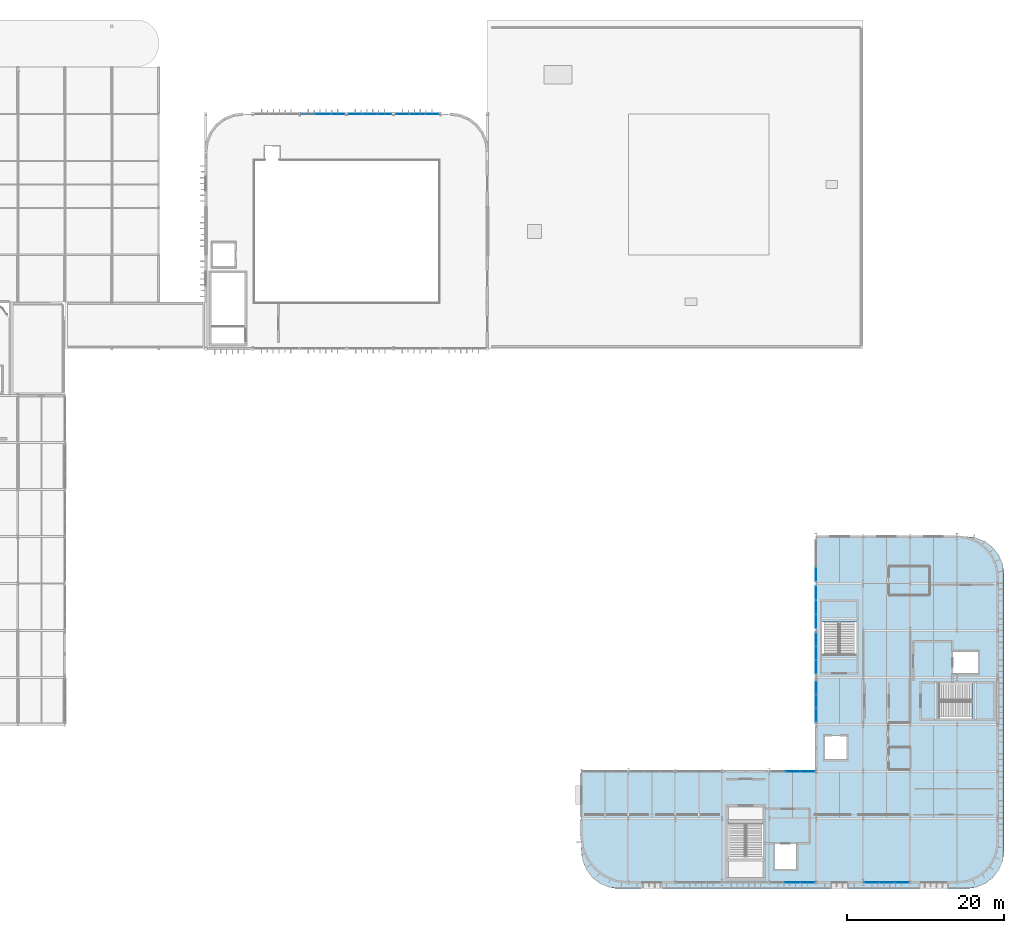
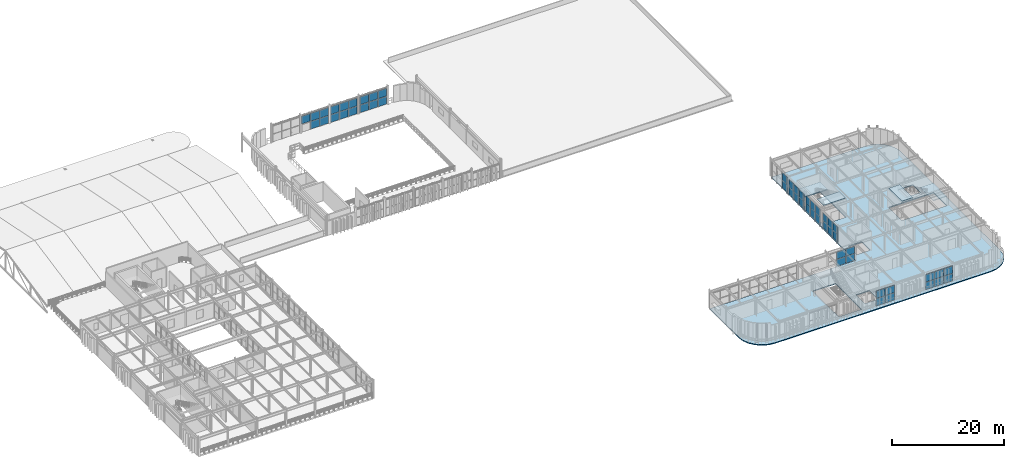
# One storey, part 50 of 83: 51 plates, 5 slabs, 12 elements without a shape of their own.
"""IFC4 building model written with IfcOpenShell, lengths in metres."""

import ifcopenshell
import ifcopenshell.guid

model = None  # the IFC model being written
_history = None  # IfcOwnerHistory: only IFC2X3 demands one
_inside = {}  # id of a spatial element -> (the spatial element, [elements in it])
_under = {}  # id of a project, library or spatial element -> (it, [spatial elements below it])
_declared = {}  # id of a project -> (the project, [libraries it declares])
_typed = {}  # id of a type object -> (the type object, [elements of that type])
_made_of = {}  # id of a material, layer set ... -> (it, [elements and type objects made of it])


def new_model(schema):
    """Start an empty IFC model of exactly this schema.

    Asked for "IFC4X3", IfcOpenShell would pick the latest addendum, in which some entities
    have other attributes; the version numbers below select the first issue.
    IFC2X3 requires an IfcOwnerHistory on every rooted entity: one is made here for all.
    """
    global model, _history
    if schema == "IFC4X3":
        model = ifcopenshell.file(schema_version=(4, 3, 0, 0))
    else:
        model = ifcopenshell.file(schema=schema)
    _inside.clear()
    _under.clear()
    _declared.clear()
    _typed.clear()
    _made_of.clear()
    _history = None
    if model.schema == "IFC2X3":
        org = make("IfcOrganization", Name="unknown")
        user = make(
            "IfcPersonAndOrganization",
            ThePerson=make("IfcPerson", FamilyName="unknown"),
            TheOrganization=org,
        )
        app = make(
            "IfcApplication",
            ApplicationDeveloper=org,
            Version="unknown",
            ApplicationFullName="unknown",
            ApplicationIdentifier="unknown",
        )
        _history = make(
            "IfcOwnerHistory",
            OwningUser=user,
            OwningApplication=app,
            ChangeAction="ADDED",
            CreationDate=0,
        )
    return model


def make(cls, **values):
    """One entity of the class cls with the attributes given. An attribute that is None is left unset."""
    return model.create_entity(
        cls, **{name: value for name, value in values.items() if value is not None}
    )


def rooted(cls, **values):
    """An entity with a GlobalId (a new one), such as an element, a storey or a relation."""
    return make(cls, GlobalId=ifcopenshell.guid.new(), OwnerHistory=_history, **values)


def si_unit(unit_type, name, prefix=None):
    """IfcSIUnit, for example si_unit("LENGTHUNIT", "METRE", prefix="MILLI")."""
    return make("IfcSIUnit", UnitType=unit_type, Prefix=prefix, Name=name)


def assignment(units):
    """IfcUnitAssignment: the units of a project."""
    return None if units is None else make("IfcUnitAssignment", Units=units)


def point(xyz):
    """IfcCartesianPoint."""
    return None if xyz is None else make("IfcCartesianPoint", Coordinates=xyz)


def direction(xyz):
    """IfcDirection."""
    return None if xyz is None else make("IfcDirection", DirectionRatios=xyz)


def frame(location, z_axis=None, x_axis=None):
    """IfcAxis2Placement3D, a coordinate frame: its origin and axes. An axis left out is left unset."""
    return make(
        "IfcAxis2Placement3D",
        Location=point(location),
        Axis=direction(z_axis),
        RefDirection=direction(x_axis),
    )


def frame_2d(location, x_axis=None):
    """IfcAxis2Placement2D, a coordinate frame in the plane: its origin and x axis."""
    return make(
        "IfcAxis2Placement2D", Location=point(location), RefDirection=direction(x_axis)
    )


def origin():
    """The frame at (0, 0, 0) with its axes left unset."""
    return frame((0.0, 0.0, 0.0))


def origin_2d():
    """The frame at (0, 0) in the plane with its x axis left unset."""
    return frame_2d((0.0, 0.0))


def place(relative_to, where):
    """IfcLocalPlacement: puts the frame where relative to a parent placement (None: the world)."""
    return make(
        "IfcLocalPlacement", PlacementRelTo=relative_to, RelativePlacement=where
    )


def context(
    kind, dimensions, precision=None, world=None, true_north=None, identifier=None
):
    """IfcGeometricRepresentationContext, for example the 3D "Model" context."""
    return make(
        "IfcGeometricRepresentationContext",
        ContextIdentifier=identifier,
        ContextType=kind,
        CoordinateSpaceDimension=dimensions,
        Precision=precision,
        WorldCoordinateSystem=world,
        TrueNorth=true_north,
    )


def subcontext(parent, identifier, kind, view, scale=None):
    """IfcGeometricRepresentationSubContext, for example "Body" below "Model"."""
    return make(
        "IfcGeometricRepresentationSubContext",
        ContextIdentifier=identifier,
        ContextType=kind,
        ParentContext=parent,
        TargetScale=scale,
        TargetView=view,
    )


def project(units=None, contexts=None):
    """IfcProject with its units and contexts."""
    return rooted(
        "IfcProject",
        Name="project",
        RepresentationContexts=contexts,
        UnitsInContext=assignment(units),
    )


def spatial(cls, under=None, at=None, **own):
    """A site, building, storey or space (cls), placed at a placement, below another one or the project."""
    s = rooted(cls, ObjectPlacement=at, **own)
    if under is not None:
        _under.setdefault(under.id(), (under, []))[1].append(s)
    return s


def polyline(points):
    """IfcPolyline through the points."""
    return make("IfcPolyline", Points=[point(p) for p in points])


def profile(cls, at=None, kind="AREA", **sizes):
    """A parametric profile (cls). Its sizes go by their IFC names, for example OverallWidth=200.0."""
    return make(cls, ProfileType=kind, Position=at, **sizes)


def rectangle(**sizes):
    """IfcRectangleProfileDef."""
    return profile("IfcRectangleProfileDef", **sizes)


def outline(outer, holes=None, kind="AREA"):
    """IfcArbitraryClosedProfileDef: a profile drawn as a closed curve; with holes, ...WithVoids."""
    if holes is None:
        return make("IfcArbitraryClosedProfileDef", ProfileType=kind, OuterCurve=outer)
    return make(
        "IfcArbitraryProfileDefWithVoids",
        ProfileType=kind,
        OuterCurve=outer,
        InnerCurves=holes,
    )


def extrude(swept, where, along, depth):
    """IfcExtrudedAreaSolid: the profile swept, set in the frame where, extruded along a direction by depth."""
    return make(
        "IfcExtrudedAreaSolid",
        SweptArea=swept,
        Position=where,
        ExtrudedDirection=direction(along),
        Depth=depth,
    )


def shape(context_of_items, identifier, shape_type, items):
    """IfcShapeRepresentation: the items that make up one representation, for example the "Body"."""
    return make(
        "IfcShapeRepresentation",
        ContextOfItems=context_of_items,
        RepresentationIdentifier=identifier,
        RepresentationType=shape_type,
        Items=items,
    )


def material(Name=None, Category=None):
    """IfcMaterial."""
    return make("IfcMaterial", Name=Name, Category=Category)


def layer(
    of_material, thickness, ventilated=None, Name=None, Category=None, Priority=None
):
    """IfcMaterialLayer: one layer of a wall or slab, of a material (None: an air gap)."""
    return make(
        "IfcMaterialLayer",
        Material=of_material,
        LayerThickness=thickness,
        IsVentilated=ventilated,
        Name=Name,
        Category=Category,
        Priority=Priority,
    )


def layer_set(layers, Name=None):
    """IfcMaterialLayerSet."""
    return make("IfcMaterialLayerSet", MaterialLayers=layers, LayerSetName=Name)


def made_of(thing, what):
    """Note that an element or type object is made of a material, layer set ...; save() writes the relation."""
    if what is not None:
        _made_of.setdefault(what.id(), (what, []))[1].append(thing)
    return thing


def type_object(cls, material=None, **own):
    """A type object (cls), such as IfcWallType, which elements share."""
    return made_of(rooted(cls, **own), material)


def element(
    cls,
    number,
    at=None,
    inside=None,
    cuts=None,
    type_object=None,
    material=None,
    context=None,
    identifier="Body",
    shape_type=None,
    held_by="IfcProductDefinitionShape",
    body=None,
    shapes=None,
    **own,
):
    """One element of the class cls, such as IfcWall. Its Tag is "e" and its number.

    at: its placement. inside: the storey or other place that contains it. cuts: it is an
    opening in that element (IfcRelVoidsElement). A single representation is given by context,
    identifier, shape_type and body (its items); several are given by shapes. held_by: the class
    of the entity that holds the representations. save() writes the other relations.
    """
    e = rooted(cls, Tag="e%d" % number, ObjectPlacement=at, **own)
    if body is not None:
        shapes = [shape(context, identifier, shape_type, body)]
    if shapes is not None:
        e.Representation = make(held_by, Representations=shapes)
    if inside is not None:
        _inside.setdefault(inside.id(), (inside, []))[1].append(e)
    if cuts is not None:
        rooted(
            "IfcRelVoidsElement", RelatingBuildingElement=cuts, RelatedOpeningElement=e
        )
    if type_object is not None:
        _typed.setdefault(type_object.id(), (type_object, []))[1].append(e)
    return made_of(e, material)


def aggregate(whole, parts):
    """IfcRelAggregates: a whole, such as a stair, and the parts it consists of."""
    return rooted("IfcRelAggregates", RelatingObject=whole, RelatedObjects=parts)


def save(model, path):
    """Write the relations noted so far, then the file.

    IfcRelAggregates (storeys below a building ...), IfcRelContainedInSpatialStructure (elements
    in a storey), IfcRelDefinesByType, IfcRelAssociatesMaterial and IfcRelDeclares: one each for
    every whole, place, type object, material and project.
    """
    for whole, parts in _under.values():
        aggregate(whole, parts)
    for where, things in _inside.values():
        rooted(
            "IfcRelContainedInSpatialStructure",
            RelatedElements=things,
            RelatingStructure=where,
        )
    for kind, things in _typed.values():
        rooted("IfcRelDefinesByType", RelatedObjects=things, RelatingType=kind)
    for what, things in _made_of.values():
        rooted("IfcRelAssociatesMaterial", RelatedObjects=things, RelatingMaterial=what)
    for by, libraries in _declared.values():
        rooted("IfcRelDeclares", RelatingContext=by, RelatedDefinitions=libraries)
    model.write(path)


model = new_model("IFC4")

# Units and contexts
model_context = context("Model", 3, precision=1e-05, world=origin(), true_north=direction((0.0, 1.0)))
body_context = subcontext(model_context, "Body", "Model", "MODEL_VIEW")
ifc_project = project(units=[si_unit("LENGTHUNIT", "METRE"), si_unit("AREAUNIT", "SQUARE_METRE"), si_unit("VOLUMEUNIT", "CUBIC_METRE"), si_unit("PLANEANGLEUNIT", "RADIAN"), si_unit("MASSUNIT", "GRAM", prefix="KILO")], contexts=[model_context])

# Site, building, storey
site_placement = place(None, origin())
site = spatial("IfcSite", under=ifc_project, at=site_placement, CompositionType="ELEMENT")
building_placement = place(site_placement, origin())
building = spatial("IfcBuilding", under=site, at=building_placement, Name="Varnakota Square Police Headquarters", CompositionType="ELEMENT")
storey_placement = place(building_placement, frame((0.0, 0.0, 18.0)))
storey = spatial("IfcBuildingStorey", under=building, at=storey_placement, Name="L04", CompositionType="ELEMENT", Elevation=18.0)

# Curtain wall, plates
ifc_material_1 = material(Name="Anodised Aluminium Framing", Category="aluminium")
curtain_wall_type_1 = type_object("IfcCurtainWallType", Name="CW-SYS-E", PredefinedType="NOTDEFINED", material=ifc_material_1)
curtain_wall_1_placement = place(storey_placement, origin())
curtain_wall_1 = element("IfcCurtainWall", 1, at=curtain_wall_1_placement, inside=storey, type_object=curtain_wall_type_1, Name="Unitised curtain wall CWG-L04-095", PredefinedType="NOTDEFINED")
ifc_material_2 = material(Name="Solar-Control Laminated Double Glazing", Category="glass")
ifc_layer_1 = layer(ifc_material_2, 0.028076171875, Name="Solar-Control Laminated Double Glazing")
ifc_layer_set_1 = layer_set([ifc_layer_1], Name="Solar-Control Laminated Double Glazing")
plate_type_1 = type_object("IfcPlateType", Name="CWP-GLZ-28", PredefinedType="CURTAIN_PANEL", material=ifc_layer_set_1)
plate_1_placement = place(storey_placement, frame((138.0, 22.1611328125, 0.06494140625), z_axis=(0.0, 0.0, 1.0), x_axis=(0.0, 1.0, 0.0)))
plate_1 = element("IfcPlate", 2, at=plate_1_placement, type_object=plate_type_1, Name="CWG-L04-095 panel 1.1", PredefinedType="CURTAIN_PANEL", context=body_context, shape_type="SweptSolid", body=[
    extrude(rectangle(XDim=1.6826171875, YDim=0.028076171875, at=origin_2d()), origin(), (0.0, 0.0, 1.0), 1.644287109375),
])
plate_2_placement = place(storey_placement, frame((138.0, 23.925048828125, 0.06494140625), z_axis=(0.0, 0.0, 1.0), x_axis=(0.0, 1.0, 0.0)))
plate_2 = element("IfcPlate", 3, at=plate_2_placement, type_object=plate_type_1, Name="CWG-L04-095 panel 2.1", PredefinedType="CURTAIN_PANEL", context=body_context, shape_type="SweptSolid", body=[
    extrude(rectangle(XDim=1.715087890625, YDim=0.028076171875, at=origin_2d()), origin(), (0.0, 0.0, 1.0), 1.644287109375),
])
plate_3_placement = place(storey_placement, frame((138.0, 25.688720703125, 0.06494140625), z_axis=(0.0, 0.0, 1.0), x_axis=(0.0, 1.0, 0.0)))
plate_3 = element("IfcPlate", 4, at=plate_3_placement, type_object=plate_type_1, Name="CWG-L04-095 panel 3.1", PredefinedType="CURTAIN_PANEL", context=body_context, shape_type="SweptSolid", body=[
    extrude(rectangle(XDim=1.6826171875, YDim=0.028076171875, at=origin_2d()), origin(), (0.0, 0.0, 1.0), 1.644287109375),
])

curtain_wall_2_placement = place(storey_placement, origin())
curtain_wall_2 = element("IfcCurtainWall", 5, at=curtain_wall_2_placement, inside=storey, type_object=curtain_wall_type_1, Name="Unitised curtain wall CWG-L04-096", PredefinedType="NOTDEFINED")
ifc_material_3 = material(Name="Acoustic Laminated Double Glazing", Category="glass")
ifc_layer_2 = layer(ifc_material_3, 0.031982421875, Name="Acoustic Laminated Double Glazing")
ifc_layer_set_2 = layer_set([ifc_layer_2], Name="Acoustic Laminated Double Glazing")
plate_type_2 = type_object("IfcPlateType", Name="CWP-GLZ-32", PredefinedType="CURTAIN_PANEL", material=ifc_layer_set_2)
plate_4_placement = place(storey_placement, frame((138.0, 28.3154296875, 0.06494140625), z_axis=(0.0, 0.0, 1.0), x_axis=(0.0, 1.0, 0.0)))
plate_4 = element("IfcPlate", 6, at=plate_4_placement, type_object=plate_type_2, Name="CWG-L04-096 panel 1.1", PredefinedType="CURTAIN_PANEL", context=body_context, shape_type="SweptSolid", body=[
    extrude(rectangle(XDim=1.69091796875, YDim=0.031982421875, at=origin_2d()), origin(), (0.0, 0.0, 1.0), 1.685546875),
])
plate_5_placement = place(storey_placement, frame((138.0, 30.08740234375, 0.06494140625), z_axis=(0.0, 0.0, 1.0), x_axis=(0.0, 1.0, 0.0)))
plate_5 = element("IfcPlate", 7, at=plate_5_placement, type_object=plate_type_2, Name="CWG-L04-096 panel 2.1", PredefinedType="CURTAIN_PANEL", context=body_context, shape_type="SweptSolid", body=[
    extrude(rectangle(XDim=1.723388671875, YDim=0.031982421875, at=origin_2d()), origin(), (0.0, 0.0, 1.0), 1.685546875),
])
plate_6_placement = place(storey_placement, frame((138.0, 31.859619140625, 0.06494140625), z_axis=(0.0, 0.0, 1.0), x_axis=(0.0, 1.0, 0.0)))
plate_6 = element("IfcPlate", 8, at=plate_6_placement, type_object=plate_type_2, Name="CWG-L04-096 panel 3.1", PredefinedType="CURTAIN_PANEL", context=body_context, shape_type="SweptSolid", body=[
    extrude(rectangle(XDim=1.69091796875, YDim=0.031982421875, at=origin_2d()), origin(), (0.0, 0.0, 1.0), 1.685546875),
])

curtain_wall_type_2 = type_object("IfcCurtainWallType", Name="CW-SYS-C", PredefinedType="NOTDEFINED", material=ifc_material_1)
curtain_wall_3_placement = place(storey_placement, origin())
curtain_wall_3 = element("IfcCurtainWall", 9, at=curtain_wall_3_placement, inside=storey, type_object=curtain_wall_type_2, Name="Unitised curtain wall CWG-L04-260", PredefinedType="NOTDEFINED")
plate_7_placement = place(storey_placement, frame((74.987548828125, 99.0, 0.06494140625), z_axis=(0.0, 0.0, 1.0), x_axis=(1.0, 0.0, 0.0)))
plate_7 = element("IfcPlate", 10, at=plate_7_placement, type_object=plate_type_2, Name="CWG-L04-260 panel 2.1", PredefinedType="CURTAIN_PANEL", context=body_context, shape_type="SweptSolid", body=[
    extrude(rectangle(XDim=1.840087890625, YDim=0.031982421875, at=origin_2d()), origin(), (0.0, 0.0, 1.0), 1.697509765625),
])
plate_8_placement = place(storey_placement, frame((76.876220703125, 99.0, 0.06494140625), z_axis=(0.0, 0.0, 1.0), x_axis=(1.0, 0.0, 0.0)))
plate_8 = element("IfcPlate", 11, at=plate_8_placement, type_object=plate_type_2, Name="CWG-L04-260 panel 3.1", PredefinedType="CURTAIN_PANEL", context=body_context, shape_type="SweptSolid", body=[
    extrude(rectangle(XDim=1.8076171875, YDim=0.031982421875, at=origin_2d()), origin(), (0.0, 0.0, 1.0), 1.697509765625),
])

curtain_wall_4_placement = place(storey_placement, origin())
curtain_wall_4 = element("IfcCurtainWall", 12, at=curtain_wall_4_placement, inside=storey, type_object=curtain_wall_type_2, Name="Unitised curtain wall CWG-L04-089", PredefinedType="NOTDEFINED")
ifc_material_4 = material(Name="Blast-Resistant Laminated Glazing", Category="glass")
ifc_layer_3 = layer(ifc_material_4, 0.035888671875, Name="Blast-Resistant Laminated Glazing")
ifc_layer_set_3 = layer_set([ifc_layer_3], Name="Blast-Resistant Laminated Glazing")
plate_type_3 = type_object("IfcPlateType", Name="CWP-GLZ-36", PredefinedType="CURTAIN_PANEL", material=ifc_layer_set_3)
plate_9_placement = place(storey_placement, frame((135.0, 0.800048828125, 0.06494140625), z_axis=(0.0, 0.0, 1.0), x_axis=(1.0, 0.0, 0.0)))
plate_9 = element("IfcPlate", 13, at=plate_9_placement, type_object=plate_type_3, Name="CWG-L04-089 panel 2.1", PredefinedType="CURTAIN_PANEL", context=body_context, shape_type="SweptSolid", body=[
    extrude(rectangle(XDim=1.848388671875, YDim=0.035888671875, at=origin_2d()), origin(), (0.0, 0.0, 1.0), 1.597412109375),
])
plate_10_placement = place(storey_placement, frame((136.89697265625, 0.800048828125, 0.06494140625), z_axis=(0.0, 0.0, 1.0), x_axis=(1.0, 0.0, 0.0)))
plate_10 = element("IfcPlate", 14, at=plate_10_placement, type_object=plate_type_3, Name="CWG-L04-089 panel 3.1", PredefinedType="CURTAIN_PANEL", context=body_context, shape_type="SweptSolid", body=[
    extrude(rectangle(XDim=1.81591796875, YDim=0.035888671875, at=origin_2d()), origin(), (0.0, 0.0, 1.0), 1.597412109375),
])

curtain_wall_5_placement = place(storey_placement, origin())
curtain_wall_5 = element("IfcCurtainWall", 15, at=curtain_wall_5_placement, inside=storey, type_object=curtain_wall_type_1, Name="Unitised curtain wall CWG-L04-097", PredefinedType="NOTDEFINED")
plate_11_placement = place(storey_placement, frame((138.0, 34.16552734375, 0.06494140625), z_axis=(0.0, 0.0, 1.0), x_axis=(0.0, 1.0, 0.0)))
plate_11 = element("IfcPlate", 16, at=plate_11_placement, type_object=plate_type_3, Name="CWG-L04-097 panel 1.1", PredefinedType="CURTAIN_PANEL", context=body_context, shape_type="SweptSolid", body=[
    extrude(rectangle(XDim=1.74072265625, YDim=0.035888671875, at=origin_2d()), origin(), (0.0, 0.0, 1.0), 1.597412109375),
])
plate_12_placement = place(storey_placement, frame((138.0, 35.987548828125, 0.06494140625), z_axis=(0.0, 0.0, 1.0), x_axis=(0.0, 1.0, 0.0)))
plate_12 = element("IfcPlate", 17, at=plate_12_placement, type_object=plate_type_3, Name="CWG-L04-097 panel 2.1", PredefinedType="CURTAIN_PANEL", context=body_context, shape_type="SweptSolid", body=[
    extrude(rectangle(XDim=1.7734375, YDim=0.035888671875, at=origin_2d()), origin(), (0.0, 0.0, 1.0), 1.597412109375),
])
plate_13_placement = place(storey_placement, frame((138.0, 37.8095703125, 0.06494140625), z_axis=(0.0, 0.0, 1.0), x_axis=(0.0, 1.0, 0.0)))
plate_13 = element("IfcPlate", 18, at=plate_13_placement, type_object=plate_type_3, Name="CWG-L04-097 panel 3.1", PredefinedType="CURTAIN_PANEL", context=body_context, shape_type="SweptSolid", body=[
    extrude(rectangle(XDim=1.74072265625, YDim=0.035888671875, at=origin_2d()), origin(), (0.0, 0.0, 1.0), 1.597412109375),
])

curtain_wall_6_placement = place(storey_placement, origin())
curtain_wall_6 = element("IfcCurtainWall", 19, at=curtain_wall_6_placement, inside=storey, type_object=curtain_wall_type_2, Name="Unitised curtain wall CWG-L04-261", PredefinedType="NOTDEFINED")
plate_14_placement = place(storey_placement, frame((79.110595703125, 99.0, 0.06494140625), z_axis=(0.0, 0.0, 1.0), x_axis=(1.0, 0.0, 0.0)))
plate_14 = element("IfcPlate", 20, at=plate_14_placement, type_object=plate_type_3, Name="CWG-L04-261 panel 1.1", PredefinedType="CURTAIN_PANEL", context=body_context, shape_type="SweptSolid", body=[
    extrude(rectangle(XDim=1.781494140625, YDim=0.035888671875, at=origin_2d()), origin(), (0.0, 0.0, 1.0), 1.697509765625),
])
plate_15_placement = place(storey_placement, frame((80.973388671875, 99.0, 0.06494140625), z_axis=(0.0, 0.0, 1.0), x_axis=(1.0, 0.0, 0.0)))
plate_15 = element("IfcPlate", 21, at=plate_15_placement, type_object=plate_type_3, Name="CWG-L04-261 panel 2.1", PredefinedType="CURTAIN_PANEL", context=body_context, shape_type="SweptSolid", body=[
    extrude(rectangle(XDim=1.81396484375, YDim=0.035888671875, at=origin_2d()), origin(), (0.0, 0.0, 1.0), 1.697509765625),
])
plate_16_placement = place(storey_placement, frame((82.836181640625, 99.0, 0.06494140625), z_axis=(0.0, 0.0, 1.0), x_axis=(1.0, 0.0, 0.0)))
plate_16 = element("IfcPlate", 22, at=plate_16_placement, type_object=plate_type_3, Name="CWG-L04-261 panel 3.1", PredefinedType="CURTAIN_PANEL", context=body_context, shape_type="SweptSolid", body=[
    extrude(rectangle(XDim=1.781494140625, YDim=0.035888671875, at=origin_2d()), origin(), (0.0, 0.0, 1.0), 1.697509765625),
])

curtain_wall_7_placement = place(storey_placement, origin())
curtain_wall_7 = element("IfcCurtainWall", 23, at=curtain_wall_7_placement, inside=storey, type_object=curtain_wall_type_2, Name="Unitised curtain wall CWG-L04-090", PredefinedType="NOTDEFINED")
ifc_material_5 = material(Name="Triple-Glazed Clean-Lab Vision Unit", Category="aluminium")
ifc_layer_4 = layer(ifc_material_5, 0.0419921875, Name="Triple-Glazed Clean-Lab Vision Unit")
ifc_layer_set_4 = layer_set([ifc_layer_4], Name="Triple-Glazed Clean-Lab Vision Unit")
plate_type_4 = type_object("IfcPlateType", Name="CWP-GLZ-42", PredefinedType="CURTAIN_PANEL", material=ifc_layer_set_4)
plate_17_placement = place(storey_placement, frame((145.132080078125, 0.800048828125, 0.06494140625), z_axis=(0.0, 0.0, 1.0), x_axis=(1.0, 0.0, 0.0)))
plate_17 = element("IfcPlate", 24, at=plate_17_placement, type_object=plate_type_4, Name="CWG-L04-090 panel 1.1", PredefinedType="CURTAIN_PANEL", context=body_context, shape_type="SweptSolid", body=[
    extrude(rectangle(XDim=1.80419921875, YDim=0.0419921875, at=origin_2d()), origin(), (0.0, 0.0, 1.0), 1.597412109375),
])
plate_18_placement = place(storey_placement, frame((147.017578125, 0.800048828125, 0.06494140625), z_axis=(0.0, 0.0, 1.0), x_axis=(1.0, 0.0, 0.0)))
plate_18 = element("IfcPlate", 25, at=plate_18_placement, type_object=plate_type_4, Name="CWG-L04-090 panel 2.1", PredefinedType="CURTAIN_PANEL", context=body_context, shape_type="SweptSolid", body=[
    extrude(rectangle(XDim=1.836669921875, YDim=0.0419921875, at=origin_2d()), origin(), (0.0, 0.0, 1.0), 1.597412109375),
])
plate_19_placement = place(storey_placement, frame((148.90283203125, 0.800048828125, 0.06494140625), z_axis=(0.0, 0.0, 1.0), x_axis=(1.0, 0.0, 0.0)))
plate_19 = element("IfcPlate", 26, at=plate_19_placement, type_object=plate_type_4, Name="CWG-L04-090 panel 3.1", PredefinedType="CURTAIN_PANEL", context=body_context, shape_type="SweptSolid", body=[
    extrude(rectangle(XDim=1.80419921875, YDim=0.0419921875, at=origin_2d()), origin(), (0.0, 0.0, 1.0), 1.597412109375),
])

curtain_wall_type_3 = type_object("IfcCurtainWallType", Name="CW-SYS-D", PredefinedType="NOTDEFINED", material=ifc_material_1)
curtain_wall_8_placement = place(storey_placement, origin())
curtain_wall_8 = element("IfcCurtainWall", 27, at=curtain_wall_8_placement, inside=storey, type_object=curtain_wall_type_3, Name="Unitised curtain wall CWG-L04-094", PredefinedType="NOTDEFINED")
plate_20_placement = place(storey_placement, frame((135.017578125, 15.0, 0.06494140625), z_axis=(0.0, 0.0, 1.0), x_axis=(1.0, 0.0, 0.0)))
plate_20 = element("IfcPlate", 28, at=plate_20_placement, type_object=plate_type_4, Name="CWG-L04-094 panel 2.1", PredefinedType="CURTAIN_PANEL", context=body_context, shape_type="SweptSolid", body=[
    extrude(rectangle(XDim=1.836669921875, YDim=0.0419921875, at=origin_2d()), origin(), (0.0, 0.0, 1.0), 1.547607421875),
])
plate_21_placement = place(storey_placement, frame((136.90283203125, 15.0, 0.06494140625), z_axis=(0.0, 0.0, 1.0), x_axis=(1.0, 0.0, 0.0)))
plate_21 = element("IfcPlate", 29, at=plate_21_placement, type_object=plate_type_4, Name="CWG-L04-094 panel 3.1", PredefinedType="CURTAIN_PANEL", context=body_context, shape_type="SweptSolid", body=[
    extrude(rectangle(XDim=1.80419921875, YDim=0.0419921875, at=origin_2d()), origin(), (0.0, 0.0, 1.0), 1.547607421875),
])

# Curtain wall, plate
curtain_wall_9_placement = place(storey_placement, origin())
curtain_wall_9 = element("IfcCurtainWall", 30, at=curtain_wall_9_placement, inside=storey, type_object=curtain_wall_type_1, Name="Unitised curtain wall CWG-L04-098", PredefinedType="NOTDEFINED")
plate_22_placement = place(storey_placement, frame((138.0, 40.1611328125, 0.06494140625), z_axis=(0.0, 0.0, 1.0), x_axis=(0.0, 1.0, 0.0)))
plate_22 = element("IfcPlate", 31, at=plate_22_placement, type_object=plate_type_4, Name="CWG-L04-098 panel 1.1", PredefinedType="CURTAIN_PANEL", context=body_context, shape_type="SweptSolid", body=[
    extrude(rectangle(XDim=1.6826171875, YDim=0.0419921875, at=origin_2d()), origin(), (0.0, 0.0, 1.0), 1.62255859375),
])

# Curtain wall, plates
curtain_wall_10_placement = place(storey_placement, origin())
curtain_wall_10 = element("IfcCurtainWall", 32, at=curtain_wall_10_placement, inside=storey, type_object=curtain_wall_type_2, Name="Unitised curtain wall CWG-L04-262", PredefinedType="NOTDEFINED")
plate_23_placement = place(storey_placement, frame((85.16796875, 99.0, 0.06494140625), z_axis=(0.0, 0.0, 1.0), x_axis=(1.0, 0.0, 0.0)))
plate_23 = element("IfcPlate", 33, at=plate_23_placement, type_object=plate_type_4, Name="CWG-L04-262 panel 1.1", PredefinedType="CURTAIN_PANEL", context=body_context, shape_type="SweptSolid", body=[
    extrude(rectangle(XDim=1.789794921875, YDim=0.0419921875, at=origin_2d()), origin(), (0.0, 0.0, 1.0), 1.697509765625),
])
plate_24_placement = place(storey_placement, frame((87.0390625, 99.0, 0.06494140625), z_axis=(0.0, 0.0, 1.0), x_axis=(1.0, 0.0, 0.0)))
plate_24 = element("IfcPlate", 34, at=plate_24_placement, type_object=plate_type_4, Name="CWG-L04-262 panel 2.1", PredefinedType="CURTAIN_PANEL", context=body_context, shape_type="SweptSolid", body=[
    extrude(rectangle(XDim=1.822265625, YDim=0.0419921875, at=origin_2d()), origin(), (0.0, 0.0, 1.0), 1.697509765625),
])
plate_25_placement = place(storey_placement, frame((88.91015625, 99.0, 0.06494140625), z_axis=(0.0, 0.0, 1.0), x_axis=(1.0, 0.0, 0.0)))
plate_25 = element("IfcPlate", 35, at=plate_25_placement, type_object=plate_type_4, Name="CWG-L04-262 panel 3.1", PredefinedType="CURTAIN_PANEL", context=body_context, shape_type="SweptSolid", body=[
    extrude(rectangle(XDim=1.789794921875, YDim=0.0419921875, at=origin_2d()), origin(), (0.0, 0.0, 1.0), 1.697509765625),
])

# Plate
ifc_material_6 = material(Name="Insulated Anodised Aluminium Spandrel Panel", Category="aluminium")
ifc_layer_5 = layer(ifc_material_6, 0.050048828125, Name="Insulated Anodised Aluminium Spandrel Panel")
ifc_layer_set_5 = layer_set([ifc_layer_5], Name="Insulated Anodised Aluminium Spandrel Panel")
plate_type_5 = type_object("IfcPlateType", Name="CWP-SPN-50", PredefinedType="CURTAIN_PANEL", material=ifc_layer_set_5)
plate_26_placement = place(storey_placement, frame((135.0, 0.800048828125, 1.7275390625), z_axis=(0.0, 0.0, 1.0), x_axis=(1.0, 0.0, 0.0)))
plate_26 = element("IfcPlate", 36, at=plate_26_placement, type_object=plate_type_5, Name="CWG-L04-089 panel 2.2", PredefinedType="CURTAIN_PANEL", context=body_context, shape_type="SweptSolid", body=[
    extrude(rectangle(XDim=1.848388671875, YDim=0.050048828125, at=origin_2d()), origin(), (0.0, 0.0, 1.0), 1.597412109375),
])

plate_27_placement = place(storey_placement, frame((136.89697265625, 0.800048828125, 1.7275390625), z_axis=(0.0, 0.0, 1.0), x_axis=(1.0, 0.0, 0.0)))
plate_27 = element("IfcPlate", 37, at=plate_27_placement, type_object=plate_type_5, Name="CWG-L04-089 panel 3.2", PredefinedType="CURTAIN_PANEL", context=body_context, shape_type="SweptSolid", body=[
    extrude(rectangle(XDim=1.81591796875, YDim=0.050048828125, at=origin_2d()), origin(), (0.0, 0.0, 1.0), 1.597412109375),
])

aggregate(curtain_wall_4, [plate_9, plate_26, plate_10, plate_27])

plate_28_placement = place(storey_placement, frame((138.0, 22.1611328125, 1.7744140625), z_axis=(0.0, 0.0, 1.0), x_axis=(0.0, 1.0, 0.0)))
plate_28 = element("IfcPlate", 38, at=plate_28_placement, type_object=plate_type_5, Name="CWG-L04-095 panel 1.2", PredefinedType="CURTAIN_PANEL", context=body_context, shape_type="SweptSolid", body=[
    extrude(rectangle(XDim=1.6826171875, YDim=0.050048828125, at=origin_2d()), origin(), (0.0, 0.0, 1.0), 1.644287109375),
])

plate_29_placement = place(storey_placement, frame((138.0, 23.925048828125, 1.7744140625), z_axis=(0.0, 0.0, 1.0), x_axis=(0.0, 1.0, 0.0)))
plate_29 = element("IfcPlate", 39, at=plate_29_placement, type_object=plate_type_5, Name="CWG-L04-095 panel 2.2", PredefinedType="CURTAIN_PANEL", context=body_context, shape_type="SweptSolid", body=[
    extrude(rectangle(XDim=1.715087890625, YDim=0.050048828125, at=origin_2d()), origin(), (0.0, 0.0, 1.0), 1.644287109375),
])

plate_30_placement = place(storey_placement, frame((138.0, 25.688720703125, 1.7744140625), z_axis=(0.0, 0.0, 1.0), x_axis=(0.0, 1.0, 0.0)))
plate_30 = element("IfcPlate", 40, at=plate_30_placement, type_object=plate_type_5, Name="CWG-L04-095 panel 3.2", PredefinedType="CURTAIN_PANEL", context=body_context, shape_type="SweptSolid", body=[
    extrude(rectangle(XDim=1.6826171875, YDim=0.050048828125, at=origin_2d()), origin(), (0.0, 0.0, 1.0), 1.644287109375),
])

aggregate(curtain_wall_1, [plate_1, plate_28, plate_2, plate_29, plate_3, plate_30])

plate_31_placement = place(storey_placement, frame((138.0, 34.16552734375, 1.7275390625), z_axis=(0.0, 0.0, 1.0), x_axis=(0.0, 1.0, 0.0)))
plate_31 = element("IfcPlate", 41, at=plate_31_placement, type_object=plate_type_5, Name="CWG-L04-097 panel 1.2", PredefinedType="CURTAIN_PANEL", context=body_context, shape_type="SweptSolid", body=[
    extrude(rectangle(XDim=1.74072265625, YDim=0.050048828125, at=origin_2d()), origin(), (0.0, 0.0, 1.0), 1.597412109375),
])

plate_32_placement = place(storey_placement, frame((138.0, 35.987548828125, 1.7275390625), z_axis=(0.0, 0.0, 1.0), x_axis=(0.0, 1.0, 0.0)))
plate_32 = element("IfcPlate", 42, at=plate_32_placement, type_object=plate_type_5, Name="CWG-L04-097 panel 2.2", PredefinedType="CURTAIN_PANEL", context=body_context, shape_type="SweptSolid", body=[
    extrude(rectangle(XDim=1.7734375, YDim=0.050048828125, at=origin_2d()), origin(), (0.0, 0.0, 1.0), 1.597412109375),
])

plate_33_placement = place(storey_placement, frame((138.0, 37.8095703125, 1.7275390625), z_axis=(0.0, 0.0, 1.0), x_axis=(0.0, 1.0, 0.0)))
plate_33 = element("IfcPlate", 43, at=plate_33_placement, type_object=plate_type_5, Name="CWG-L04-097 panel 3.2", PredefinedType="CURTAIN_PANEL", context=body_context, shape_type="SweptSolid", body=[
    extrude(rectangle(XDim=1.74072265625, YDim=0.050048828125, at=origin_2d()), origin(), (0.0, 0.0, 1.0), 1.597412109375),
])

aggregate(curtain_wall_5, [plate_11, plate_31, plate_12, plate_32, plate_13, plate_33])

plate_34_placement = place(storey_placement, frame((79.110595703125, 99.0, 1.82763671875), z_axis=(0.0, 0.0, 1.0), x_axis=(1.0, 0.0, 0.0)))
plate_34 = element("IfcPlate", 44, at=plate_34_placement, type_object=plate_type_5, Name="CWG-L04-261 panel 1.2", PredefinedType="CURTAIN_PANEL", context=body_context, shape_type="SweptSolid", body=[
    extrude(rectangle(XDim=1.781494140625, YDim=0.050048828125, at=origin_2d()), origin(), (0.0, 0.0, 1.0), 1.697509765625),
])

plate_35_placement = place(storey_placement, frame((80.973388671875, 99.0, 1.82763671875), z_axis=(0.0, 0.0, 1.0), x_axis=(1.0, 0.0, 0.0)))
plate_35 = element("IfcPlate", 45, at=plate_35_placement, type_object=plate_type_5, Name="CWG-L04-261 panel 2.2", PredefinedType="CURTAIN_PANEL", context=body_context, shape_type="SweptSolid", body=[
    extrude(rectangle(XDim=1.81396484375, YDim=0.050048828125, at=origin_2d()), origin(), (0.0, 0.0, 1.0), 1.697509765625),
])

plate_36_placement = place(storey_placement, frame((82.836181640625, 99.0, 1.82763671875), z_axis=(0.0, 0.0, 1.0), x_axis=(1.0, 0.0, 0.0)))
plate_36 = element("IfcPlate", 46, at=plate_36_placement, type_object=plate_type_5, Name="CWG-L04-261 panel 3.2", PredefinedType="CURTAIN_PANEL", context=body_context, shape_type="SweptSolid", body=[
    extrude(rectangle(XDim=1.781494140625, YDim=0.050048828125, at=origin_2d()), origin(), (0.0, 0.0, 1.0), 1.697509765625),
])

aggregate(curtain_wall_6, [plate_14, plate_34, plate_15, plate_35, plate_16, plate_36])

ifc_material_7 = material(Name="Fire-Stopped Mineral-Wool Spandrel Panel", Category="aluminium")
ifc_layer_6 = layer(ifc_material_7, 0.06005859375, Name="Fire-Stopped Mineral-Wool Spandrel Panel")
ifc_layer_set_6 = layer_set([ifc_layer_6], Name="Fire-Stopped Mineral-Wool Spandrel Panel")
plate_type_6 = type_object("IfcPlateType", Name="CWP-SPN-60", PredefinedType="CURTAIN_PANEL", material=ifc_layer_set_6)
plate_37_placement = place(storey_placement, frame((145.132080078125, 0.800048828125, 1.7275390625), z_axis=(0.0, 0.0, 1.0), x_axis=(1.0, 0.0, 0.0)))
plate_37 = element("IfcPlate", 47, at=plate_37_placement, type_object=plate_type_6, Name="CWG-L04-090 panel 1.2", PredefinedType="CURTAIN_PANEL", context=body_context, shape_type="SweptSolid", body=[
    extrude(rectangle(XDim=1.80419921875, YDim=0.06005859375, at=origin_2d()), origin(), (0.0, 0.0, 1.0), 1.597412109375),
])

plate_38_placement = place(storey_placement, frame((147.017578125, 0.800048828125, 1.7275390625), z_axis=(0.0, 0.0, 1.0), x_axis=(1.0, 0.0, 0.0)))
plate_38 = element("IfcPlate", 48, at=plate_38_placement, type_object=plate_type_6, Name="CWG-L04-090 panel 2.2", PredefinedType="CURTAIN_PANEL", context=body_context, shape_type="SweptSolid", body=[
    extrude(rectangle(XDim=1.836669921875, YDim=0.06005859375, at=origin_2d()), origin(), (0.0, 0.0, 1.0), 1.597412109375),
])

plate_39_placement = place(storey_placement, frame((148.90283203125, 0.800048828125, 1.7275390625), z_axis=(0.0, 0.0, 1.0), x_axis=(1.0, 0.0, 0.0)))
plate_39 = element("IfcPlate", 49, at=plate_39_placement, type_object=plate_type_6, Name="CWG-L04-090 panel 3.2", PredefinedType="CURTAIN_PANEL", context=body_context, shape_type="SweptSolid", body=[
    extrude(rectangle(XDim=1.80419921875, YDim=0.06005859375, at=origin_2d()), origin(), (0.0, 0.0, 1.0), 1.597412109375),
])

aggregate(curtain_wall_7, [plate_17, plate_37, plate_18, plate_38, plate_19, plate_39])

plate_40_placement = place(storey_placement, frame((135.017578125, 15.0, 1.67724609375), z_axis=(0.0, 0.0, 1.0), x_axis=(1.0, 0.0, 0.0)))
plate_40 = element("IfcPlate", 50, at=plate_40_placement, type_object=plate_type_6, Name="CWG-L04-094 panel 2.2", PredefinedType="CURTAIN_PANEL", context=body_context, shape_type="SweptSolid", body=[
    extrude(rectangle(XDim=1.836669921875, YDim=0.06005859375, at=origin_2d()), origin(), (0.0, 0.0, 1.0), 1.547607421875),
])

plate_41_placement = place(storey_placement, frame((136.90283203125, 15.0, 1.67724609375), z_axis=(0.0, 0.0, 1.0), x_axis=(1.0, 0.0, 0.0)))
plate_41 = element("IfcPlate", 51, at=plate_41_placement, type_object=plate_type_6, Name="CWG-L04-094 panel 3.2", PredefinedType="CURTAIN_PANEL", context=body_context, shape_type="SweptSolid", body=[
    extrude(rectangle(XDim=1.80419921875, YDim=0.06005859375, at=origin_2d()), origin(), (0.0, 0.0, 1.0), 1.547607421875),
])

aggregate(curtain_wall_8, [plate_20, plate_40, plate_21, plate_41])

plate_42_placement = place(storey_placement, frame((138.0, 28.3154296875, 1.8154296875), z_axis=(0.0, 0.0, 1.0), x_axis=(0.0, 1.0, 0.0)))
plate_42 = element("IfcPlate", 52, at=plate_42_placement, type_object=plate_type_6, Name="CWG-L04-096 panel 1.2", PredefinedType="CURTAIN_PANEL", context=body_context, shape_type="SweptSolid", body=[
    extrude(rectangle(XDim=1.69091796875, YDim=0.06005859375, at=origin_2d()), origin(), (0.0, 0.0, 1.0), 1.685546875),
])

plate_43_placement = place(storey_placement, frame((138.0, 30.08740234375, 1.8154296875), z_axis=(0.0, 0.0, 1.0), x_axis=(0.0, 1.0, 0.0)))
plate_43 = element("IfcPlate", 53, at=plate_43_placement, type_object=plate_type_6, Name="CWG-L04-096 panel 2.2", PredefinedType="CURTAIN_PANEL", context=body_context, shape_type="SweptSolid", body=[
    extrude(rectangle(XDim=1.723388671875, YDim=0.06005859375, at=origin_2d()), origin(), (0.0, 0.0, 1.0), 1.685546875),
])

plate_44_placement = place(storey_placement, frame((138.0, 31.859619140625, 1.8154296875), z_axis=(0.0, 0.0, 1.0), x_axis=(0.0, 1.0, 0.0)))
plate_44 = element("IfcPlate", 54, at=plate_44_placement, type_object=plate_type_6, Name="CWG-L04-096 panel 3.2", PredefinedType="CURTAIN_PANEL", context=body_context, shape_type="SweptSolid", body=[
    extrude(rectangle(XDim=1.69091796875, YDim=0.06005859375, at=origin_2d()), origin(), (0.0, 0.0, 1.0), 1.685546875),
])

aggregate(curtain_wall_2, [plate_4, plate_42, plate_5, plate_43, plate_6, plate_44])

plate_45_placement = place(storey_placement, frame((138.0, 40.1611328125, 1.75244140625), z_axis=(0.0, 0.0, 1.0), x_axis=(0.0, 1.0, 0.0)))
plate_45 = element("IfcPlate", 55, at=plate_45_placement, type_object=plate_type_6, Name="CWG-L04-098 panel 1.2", PredefinedType="CURTAIN_PANEL", context=body_context, shape_type="SweptSolid", body=[
    extrude(rectangle(XDim=1.6826171875, YDim=0.06005859375, at=origin_2d()), origin(), (0.0, 0.0, 1.0), 1.62255859375),
])

aggregate(curtain_wall_9, [plate_22, plate_45])

plate_46_placement = place(storey_placement, frame((73.0986328125, 99.0, 1.82763671875), z_axis=(0.0, 0.0, 1.0), x_axis=(1.0, 0.0, 0.0)))
plate_46 = element("IfcPlate", 56, at=plate_46_placement, type_object=plate_type_6, Name="CWG-L04-260 panel 1.2", PredefinedType="CURTAIN_PANEL", context=body_context, shape_type="SweptSolid", body=[
    extrude(rectangle(XDim=1.8076171875, YDim=0.06005859375, at=origin_2d()), origin(), (0.0, 0.0, 1.0), 1.697509765625),
])

plate_47_placement = place(storey_placement, frame((74.987548828125, 99.0, 1.82763671875), z_axis=(0.0, 0.0, 1.0), x_axis=(1.0, 0.0, 0.0)))
plate_47 = element("IfcPlate", 57, at=plate_47_placement, type_object=plate_type_6, Name="CWG-L04-260 panel 2.2", PredefinedType="CURTAIN_PANEL", context=body_context, shape_type="SweptSolid", body=[
    extrude(rectangle(XDim=1.840087890625, YDim=0.06005859375, at=origin_2d()), origin(), (0.0, 0.0, 1.0), 1.697509765625),
])

plate_48_placement = place(storey_placement, frame((76.876220703125, 99.0, 1.82763671875), z_axis=(0.0, 0.0, 1.0), x_axis=(1.0, 0.0, 0.0)))
plate_48 = element("IfcPlate", 58, at=plate_48_placement, type_object=plate_type_6, Name="CWG-L04-260 panel 3.2", PredefinedType="CURTAIN_PANEL", context=body_context, shape_type="SweptSolid", body=[
    extrude(rectangle(XDim=1.8076171875, YDim=0.06005859375, at=origin_2d()), origin(), (0.0, 0.0, 1.0), 1.697509765625),
])

aggregate(curtain_wall_3, [plate_46, plate_7, plate_47, plate_8, plate_48])

plate_49_placement = place(storey_placement, frame((85.16796875, 99.0, 1.82763671875), z_axis=(0.0, 0.0, 1.0), x_axis=(1.0, 0.0, 0.0)))
plate_49 = element("IfcPlate", 59, at=plate_49_placement, type_object=plate_type_6, Name="CWG-L04-262 panel 1.2", PredefinedType="CURTAIN_PANEL", context=body_context, shape_type="SweptSolid", body=[
    extrude(rectangle(XDim=1.789794921875, YDim=0.06005859375, at=origin_2d()), origin(), (0.0, 0.0, 1.0), 1.697509765625),
])

plate_50_placement = place(storey_placement, frame((87.0390625, 99.0, 1.82763671875), z_axis=(0.0, 0.0, 1.0), x_axis=(1.0, 0.0, 0.0)))
plate_50 = element("IfcPlate", 60, at=plate_50_placement, type_object=plate_type_6, Name="CWG-L04-262 panel 2.2", PredefinedType="CURTAIN_PANEL", context=body_context, shape_type="SweptSolid", body=[
    extrude(rectangle(XDim=1.822265625, YDim=0.06005859375, at=origin_2d()), origin(), (0.0, 0.0, 1.0), 1.697509765625),
])

plate_51_placement = place(storey_placement, frame((88.91015625, 99.0, 1.82763671875), z_axis=(0.0, 0.0, 1.0), x_axis=(1.0, 0.0, 0.0)))
plate_51 = element("IfcPlate", 61, at=plate_51_placement, type_object=plate_type_6, Name="CWG-L04-262 panel 3.2", PredefinedType="CURTAIN_PANEL", context=body_context, shape_type="SweptSolid", body=[
    extrude(rectangle(XDim=1.789794921875, YDim=0.06005859375, at=origin_2d()), origin(), (0.0, 0.0, 1.0), 1.697509765625),
])

aggregate(curtain_wall_10, [plate_23, plate_49, plate_24, plate_50, plate_25, plate_51])

# Slab
ifc_material_8 = material(Name="Concrete M40", Category="concrete")
ifc_layer_7 = layer(ifc_material_8, 0.199951171875, Name="Concrete M40")
ifc_layer_set_7 = layer_set([ifc_layer_7], Name="Concrete M40")
slab_type_1 = type_object("IfcSlabType", Name="SL-COMP-200", PredefinedType="FLOOR", material=ifc_layer_set_7)
slab_1_placement = place(storey_placement, frame((0.0, 0.0, -0.199951171875)))
element("IfcSlab", 62, at=slab_1_placement, inside=storey, type_object=slab_type_1, Name="L04 Cybercrime Bureau Slab", PredefinedType="FLOOR", context=body_context, shape_type="SweptSolid", body=[
    extrude(outline(polyline([(108.0, 4.800048828125), (108.16357421875, 3.5576171875), (108.64306640625, 2.39990234375), (109.406005859375, 1.406005859375), (110.39990234375, 0.64306640625), (111.5576171875, 0.16357421875), (112.800048828125, 0.0), (157.199951171875, 0.0), (158.4423828125, 0.16357421875), (159.60009765625, 0.64306640625), (160.593994140625, 1.406005859375), (161.35693359375, 2.39990234375), (161.83642578125, 3.5576171875), (162.0, 4.800048828125), (162.0, 40.199951171875), (161.83642578125, 41.4423828125), (161.35693359375, 42.60009765625), (160.593994140625, 43.593994140625), (159.60009765625, 44.35693359375), (158.4423828125, 44.83642578125), (157.199951171875, 45.0), (138.0, 45.0), (138.0, 15.0), (108.0, 15.0), (108.0, 4.800048828125)]), holes=[polyline([(126.655029296875, 1.304931640625), (131.344970703125, 1.304931640625), (131.344970703125, 10.594970703125), (126.655029296875, 10.594970703125), (126.655029296875, 1.304931640625)]), polyline([(132.715087890625, 2.514892578125), (135.485107421875, 2.514892578125), (135.485107421875, 5.68505859375), (132.715087890625, 5.68505859375), (132.715087890625, 2.514892578125)]), polyline([(151.405029296875, 21.655029296875), (160.695068359375, 21.655029296875), (160.695068359375, 26.344970703125), (151.405029296875, 26.344970703125), (151.405029296875, 21.655029296875)]), polyline([(155.514892578125, 27.514892578125), (158.68505859375, 27.514892578125), (158.68505859375, 30.284912109375), (155.514892578125, 30.284912109375), (155.514892578125, 27.514892578125)]), polyline([(138.655029296875, 27.554931640625), (143.2451171875, 27.554931640625), (143.2451171875, 36.7451171875), (138.655029296875, 36.7451171875), (138.655029296875, 27.554931640625)]), polyline([(139.114990234375, 16.514892578125), (141.885009765625, 16.514892578125), (141.885009765625, 19.485107421875), (139.114990234375, 19.485107421875), (139.114990234375, 16.514892578125)])]), origin(), (0.0, 0.0, 1.0), 0.199951171875),
])

# Stair, slabs
stair_type_1 = type_object("IfcStairType", Name="STR-DOG-1900", PredefinedType="USERDEFINED", material=ifc_material_8)
stair_1_placement = place(storey_placement, origin())
stair_1 = element("IfcStair", 63, at=stair_1_placement, inside=storey, type_object=stair_type_1, Name="Protected exit stair ST3 (L04)", ObjectType="TWO_RETURN_STAIR", PredefinedType="USERDEFINED")
ifc_layer_8 = layer(ifc_material_8, 0.162109375, Name="Concrete M40")
ifc_layer_set_8 = layer_set([ifc_layer_8], Name="Concrete M40")
slab_type_2 = type_object("IfcSlabType", Name="SLB-LND-1900", PredefinedType="LANDING", material=ifc_layer_set_8)
slab_2_placement = place(storey_placement, frame((0.0, 0.0, 1.93798828125)))
slab_2 = element("IfcSlab", 64, at=slab_2_placement, type_object=slab_type_2, Name="ST3-L04 landing 1", PredefinedType="LANDING", context=body_context, shape_type="SweptSolid", body=[
    extrude(outline(polyline([(138.659912109375, 34.05078125), (143.239990234375, 34.05078125), (143.239990234375, 36.739990234375), (138.659912109375, 36.739990234375), (138.659912109375, 34.05078125)])), origin(), (0.0, 0.0, 1.0), 0.162109375),
])
slab_3_placement = place(storey_placement, frame((0.0, 0.0, 4.0380859375)))
slab_3 = element("IfcSlab", 65, at=slab_3_placement, type_object=slab_type_2, Name="ST3-L04 landing 2", PredefinedType="LANDING", context=body_context, shape_type="SweptSolid", body=[
    extrude(outline(polyline([(138.659912109375, 27.56005859375), (143.239990234375, 27.56005859375), (143.239990234375, 29.85009765625), (138.659912109375, 29.85009765625), (138.659912109375, 27.56005859375)])), origin(), (0.0, 0.0, 1.0), 0.161865234375),
])
aggregate(stair_1, [slab_2, slab_3])

stair_type_2 = type_object("IfcStairType", Name="STR-DOG-2000", PredefinedType="USERDEFINED", material=ifc_material_8)
stair_2_placement = place(storey_placement, origin())
stair_2 = element("IfcStair", 66, at=stair_2_placement, inside=storey, type_object=stair_type_2, Name="Protected exit stair ST2 (L04)", ObjectType="TWO_RETURN_STAIR", PredefinedType="USERDEFINED")
ifc_layer_9 = layer(ifc_material_8, 0.166015625, Name="Concrete M40")
ifc_layer_set_9 = layer_set([ifc_layer_9], Name="Concrete M40")
slab_type_3 = type_object("IfcSlabType", Name="SLB-LND-2000", PredefinedType="LANDING", material=ifc_layer_set_9)
slab_4_placement = place(storey_placement, frame((0.0, 0.0, 1.93408203125)))
slab_4 = element("IfcSlab", 67, at=slab_4_placement, type_object=slab_type_3, Name="ST2-L04 landing 1", PredefinedType="LANDING", context=body_context, shape_type="SweptSolid", body=[
    extrude(outline(polyline([(157.900634765625, 21.659912109375), (160.68994140625, 21.659912109375), (160.68994140625, 26.340087890625), (157.900634765625, 26.340087890625), (157.900634765625, 21.659912109375)])), origin(), (0.0, 0.0, 1.0), 0.166015625),
])
slab_5_placement = place(storey_placement, frame((0.0, 0.0, 4.033935546875)))
slab_5 = element("IfcSlab", 68, at=slab_5_placement, type_object=slab_type_3, Name="ST2-L04 landing 2", PredefinedType="LANDING", context=body_context, shape_type="SweptSolid", body=[
    extrude(outline(polyline([(151.409912109375, 21.659912109375), (153.699951171875, 21.659912109375), (153.699951171875, 26.340087890625), (151.409912109375, 26.340087890625), (151.409912109375, 21.659912109375)])), origin(), (0.0, 0.0, 1.0), 0.166015625),
])
aggregate(stair_2, [slab_4, slab_5])

save(model, "model.ifc")
